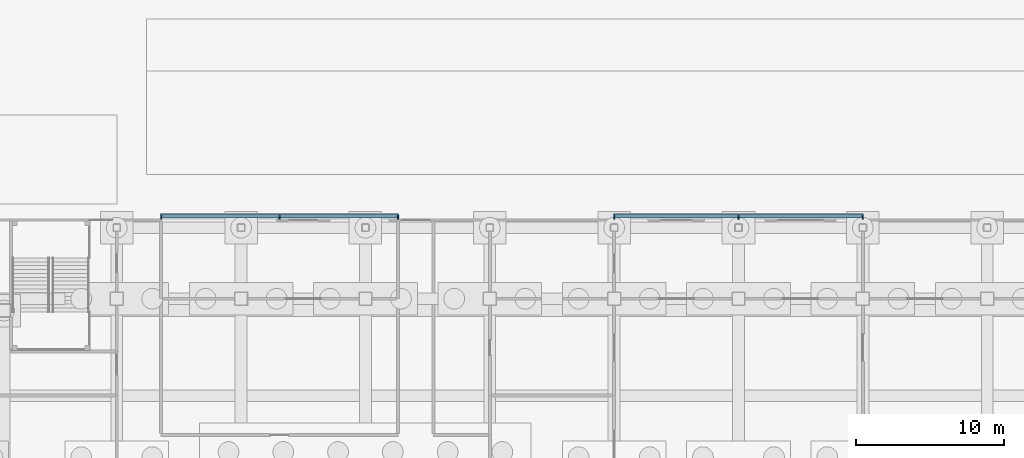
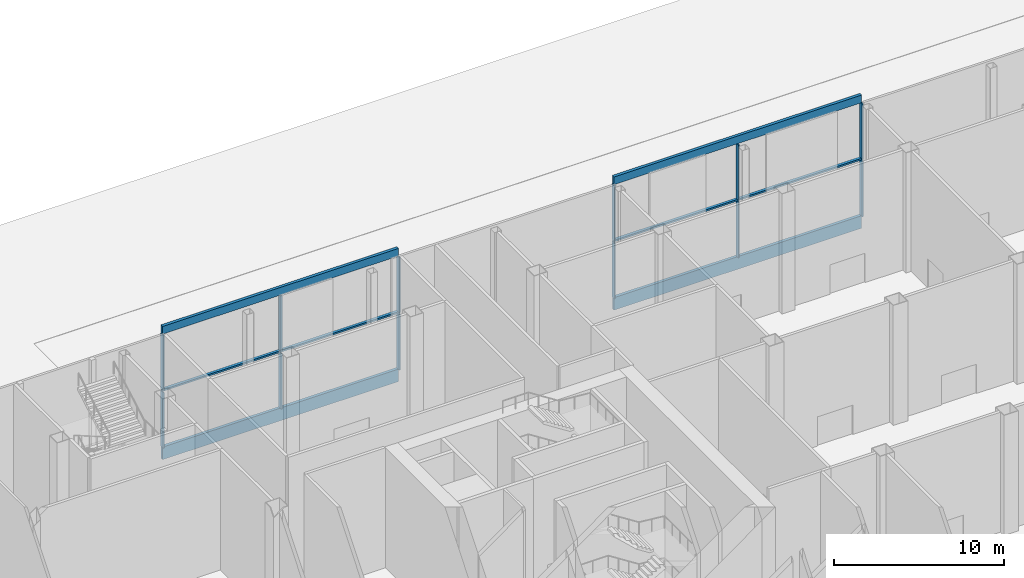
# One storey, part 21 of 113: 18 members, 2 elements without a shape of their own.
"""IFC4 building model written with IfcOpenShell, lengths in metres."""

from ifc_helpers import new_model, si_unit, direction, frame, origin, origin_2d, place, context, subcontext, project, spatial, rectangle, extrude, material, layer, layer_set, material_profile, profile_set, type_object, element, aggregate, save


model = new_model("IFC4")

# Units and contexts
model_context = context("Model", 3, precision=1e-05, world=origin(), true_north=direction((0.0, 1.0)))
body_context = subcontext(model_context, "Body", "Model", "MODEL_VIEW")
ifc_project = project(units=[si_unit("LENGTHUNIT", "METRE"), si_unit("AREAUNIT", "SQUARE_METRE"), si_unit("VOLUMEUNIT", "CUBIC_METRE"), si_unit("PLANEANGLEUNIT", "RADIAN"), si_unit("MASSUNIT", "GRAM", prefix="KILO")], contexts=[model_context])

# Site, building, storey
site_placement = place(None, origin())
site = spatial("IfcSite", under=ifc_project, at=site_placement, CompositionType="ELEMENT")
building_placement = place(site_placement, origin())
building = spatial("IfcBuilding", under=site, at=building_placement, Name="Hakoniwa Tower and Hamabe Station Hall", CompositionType="ELEMENT")
storey_placement = place(building_placement, origin())
storey = spatial("IfcBuildingStorey", under=building, at=storey_placement, Name="L01", CompositionType="ELEMENT", Elevation=0.0)

# Curtain wall, member
ifc_material_1 = material(Name="Dark low-e laminated glass", Category="glass")
ifc_layer = layer(ifc_material_1, 0.199951171875)
ifc_layer_set = layer_set([ifc_layer], Name="CW-3 PODIUM LOBBY")
curtain_wall_type = type_object("IfcCurtainWallType", Name="CW-3 PODIUM LOBBY", PredefinedType="NOTDEFINED", material=ifc_layer_set)
curtain_wall_1_placement = place(storey_placement, origin())
curtain_wall_1 = element("IfcCurtainWall", 1, at=curtain_wall_1_placement, inside=storey, type_object=curtain_wall_type, Name="Podium curtain wall L01 north 1", PredefinedType="NOTDEFINED")
ifc_material_2 = material(Name="Aluminium 6063-T5 black anodised", Category="aluminium")
ifc_material_profile_1 = material_profile(ifc_material_2, rectangle(XDim=0.199951171875, YDim=0.550048828125, at=origin_2d()), Name="CW HEAD BAND 550X200")
ifc_profile_set_1 = profile_set([ifc_material_profile_1], Name="Aluminium 6063-T5 black anodised")
member_type_1 = type_object("IfcMemberType", Name="CW HEAD BAND 550X200", PredefinedType="USERDEFINED", material=ifc_profile_set_1)
member_1_placement = place(storey_placement, frame((-23.0, 25.199951171875, 8.72509765625), z_axis=(-1.0, 0.0, 0.0), x_axis=(0.0, -1.0, 0.0)))
member_1 = element("IfcMember", 2, at=member_1_placement, type_object=member_type_1, Name="CW-3 transom", ObjectType="TRANSOM", PredefinedType="USERDEFINED", context=body_context, shape_type="SweptSolid", body=[
    extrude(rectangle(XDim=0.199951171875, YDim=0.550048828125, at=origin_2d()), origin(), (0.0, 0.0, 1.0), 16.0),
])

curtain_wall_2_placement = place(storey_placement, origin())
curtain_wall_2 = element("IfcCurtainWall", 3, at=curtain_wall_2_placement, inside=storey, type_object=curtain_wall_type, Name="Podium curtain wall L01 north 2", PredefinedType="NOTDEFINED")
member_2_placement = place(storey_placement, frame((8.39990234375, 25.199951171875, 8.72509765625), z_axis=(-1.0, 0.0, 0.0), x_axis=(0.0, -1.0, 0.0)))
member_2 = element("IfcMember", 4, at=member_2_placement, type_object=member_type_1, Name="CW-3 transom", ObjectType="TRANSOM", PredefinedType="USERDEFINED", context=body_context, shape_type="SweptSolid", body=[
    extrude(rectangle(XDim=0.199951171875, YDim=0.550048828125, at=origin_2d()), origin(), (0.0, 0.0, 1.0), 16.7998046875),
])

# Member
ifc_material_3 = material(Name="Aluminium 6063-T5 black anodised", Category="aluminium")
ifc_material_profile_2 = material_profile(ifc_material_3, rectangle(XDim=0.199951171875, YDim=0.1201171875, at=origin_2d()), Name="CW MID TRANSOM 120X200")
ifc_profile_set_2 = profile_set([ifc_material_profile_2], Name="Aluminium 6063-T5 black anodised")
member_type_2 = type_object("IfcMemberType", Name="CW MID TRANSOM 120X200", PredefinedType="USERDEFINED", material=ifc_profile_set_2)
member_3_placement = place(storey_placement, frame((-23.0, 25.199951171875, 4.39990234375), z_axis=(-1.0, 0.0, 0.0), x_axis=(0.0, -1.0, 0.0)))
member_3 = element("IfcMember", 5, at=member_3_placement, type_object=member_type_2, Name="CW-3 transom", ObjectType="TRANSOM", PredefinedType="USERDEFINED", context=body_context, shape_type="SweptSolid", body=[
    extrude(rectangle(XDim=0.199951171875, YDim=0.1201171875, at=origin_2d()), origin(), (0.0, 0.0, 1.0), 16.0),
])

member_4_placement = place(storey_placement, frame((8.39990234375, 25.199951171875, 4.39990234375), z_axis=(-1.0, 0.0, 0.0), x_axis=(0.0, -1.0, 0.0)))
member_4 = element("IfcMember", 6, at=member_4_placement, type_object=member_type_2, Name="CW-3 transom", ObjectType="TRANSOM", PredefinedType="USERDEFINED", context=body_context, shape_type="SweptSolid", body=[
    extrude(rectangle(XDim=0.199951171875, YDim=0.1201171875, at=origin_2d()), origin(), (0.0, 0.0, 1.0), 16.7998046875),
])

ifc_material_4 = material(Name="Aluminium 6063-T5 black anodised", Category="aluminium")
ifc_material_profile_3 = material_profile(ifc_material_4, rectangle(XDim=0.199951171875, YDim=0.89990234375, at=origin_2d()), Name="CW SLAB-EDGE BAND 900X200")
ifc_profile_set_3 = profile_set([ifc_material_profile_3], Name="Aluminium 6063-T5 black anodised")
member_type_3 = type_object("IfcMemberType", Name="CW SLAB-EDGE BAND 900X200", PredefinedType="USERDEFINED", material=ifc_profile_set_3)
member_5_placement = place(storey_placement, frame((-23.0, 25.199951171875, -0.10009765625), z_axis=(-1.0, 0.0, 0.0), x_axis=(0.0, -1.0, 0.0)))
member_5 = element("IfcMember", 7, at=member_5_placement, type_object=member_type_3, Name="CW-3 transom", ObjectType="TRANSOM", PredefinedType="USERDEFINED", context=body_context, shape_type="SweptSolid", body=[
    extrude(rectangle(XDim=0.199951171875, YDim=0.89990234375, at=origin_2d()), origin(), (0.0, 0.0, 1.0), 16.0),
])

member_6_placement = place(storey_placement, frame((8.39990234375, 25.199951171875, -0.10009765625), z_axis=(-1.0, 0.0, 0.0), x_axis=(0.0, -1.0, 0.0)))
member_6 = element("IfcMember", 8, at=member_6_placement, type_object=member_type_3, Name="CW-3 transom", ObjectType="TRANSOM", PredefinedType="USERDEFINED", context=body_context, shape_type="SweptSolid", body=[
    extrude(rectangle(XDim=0.199951171875, YDim=0.89990234375, at=origin_2d()), origin(), (0.0, 0.0, 1.0), 16.7998046875),
])

ifc_material_5 = material(Name="Aluminium 6063-T5 black anodised", Category="aluminium")
ifc_material_profile_4 = material_profile(ifc_material_5, rectangle(XDim=0.080078125, YDim=0.300048828125, at=origin_2d()), Name="CW-3 MULLION 80X300")
ifc_profile_set_4 = profile_set([ifc_material_profile_4], Name="Aluminium 6063-T5 black anodised")
member_type_4 = type_object("IfcMemberType", Name="CW-3 MULLION 80X300", PredefinedType="MULLION", material=ifc_profile_set_4)
member_7_placement = place(storey_placement, frame((-23.0, 25.1220703125, 0.35009765625), z_axis=(0.0, 0.0, 1.0), x_axis=(-1.0, 0.0, 0.0)))
member_7 = element("IfcMember", 9, at=member_7_placement, type_object=member_type_4, Name="CW-3 mullion", PredefinedType="MULLION", context=body_context, shape_type="SweptSolid", body=[
    extrude(rectangle(XDim=0.080078125, YDim=0.300048828125, at=origin_2d()), origin(), (0.0, 0.0, 1.0), 3.989990234375),
])

member_8_placement = place(storey_placement, frame((-23.0, 25.1220703125, 4.4599609375), z_axis=(0.0, 0.0, 1.0), x_axis=(-1.0, 0.0, 0.0)))
member_8 = element("IfcMember", 10, at=member_8_placement, type_object=member_type_4, Name="CW-3 mullion", PredefinedType="MULLION", context=body_context, shape_type="SweptSolid", body=[
    extrude(rectangle(XDim=0.080078125, YDim=0.300048828125, at=origin_2d()), origin(), (0.0, 0.0, 1.0), 3.989990234375),
])

member_9_placement = place(storey_placement, frame((-31.0, 25.1220703125, 0.35009765625), z_axis=(0.0, 0.0, 1.0), x_axis=(-1.0, 0.0, 0.0)))
member_9 = element("IfcMember", 11, at=member_9_placement, type_object=member_type_4, Name="CW-3 mullion", PredefinedType="MULLION", context=body_context, shape_type="SweptSolid", body=[
    extrude(rectangle(XDim=0.080078125, YDim=0.300048828125, at=origin_2d()), origin(), (0.0, 0.0, 1.0), 3.989990234375),
])

member_10_placement = place(storey_placement, frame((-31.0, 25.1220703125, 4.4599609375), z_axis=(0.0, 0.0, 1.0), x_axis=(-1.0, 0.0, 0.0)))
member_10 = element("IfcMember", 12, at=member_10_placement, type_object=member_type_4, Name="CW-3 mullion", PredefinedType="MULLION", context=body_context, shape_type="SweptSolid", body=[
    extrude(rectangle(XDim=0.080078125, YDim=0.300048828125, at=origin_2d()), origin(), (0.0, 0.0, 1.0), 3.989990234375),
])

member_11_placement = place(storey_placement, frame((-39.0, 25.1220703125, 0.35009765625), z_axis=(0.0, 0.0, 1.0), x_axis=(-1.0, 0.0, 0.0)))
member_11 = element("IfcMember", 13, at=member_11_placement, type_object=member_type_4, Name="CW-3 mullion", PredefinedType="MULLION", context=body_context, shape_type="SweptSolid", body=[
    extrude(rectangle(XDim=0.080078125, YDim=0.300048828125, at=origin_2d()), origin(), (0.0, 0.0, 1.0), 3.989990234375),
])

member_12_placement = place(storey_placement, frame((-39.0, 25.1220703125, 4.4599609375), z_axis=(0.0, 0.0, 1.0), x_axis=(-1.0, 0.0, 0.0)))
member_12 = element("IfcMember", 14, at=member_12_placement, type_object=member_type_4, Name="CW-3 mullion", PredefinedType="MULLION", context=body_context, shape_type="SweptSolid", body=[
    extrude(rectangle(XDim=0.080078125, YDim=0.300048828125, at=origin_2d()), origin(), (0.0, 0.0, 1.0), 3.989990234375),
])

aggregate(curtain_wall_1, [member_7, member_8, member_9, member_10, member_11, member_12, member_5, member_3, member_1])

member_13_placement = place(storey_placement, frame((8.39990234375, 25.1220703125, 0.35009765625), z_axis=(0.0, 0.0, 1.0), x_axis=(-1.0, 0.0, 0.0)))
member_13 = element("IfcMember", 15, at=member_13_placement, type_object=member_type_4, Name="CW-3 mullion", PredefinedType="MULLION", context=body_context, shape_type="SweptSolid", body=[
    extrude(rectangle(XDim=0.080078125, YDim=0.300048828125, at=origin_2d()), origin(), (0.0, 0.0, 1.0), 3.989990234375),
])

member_14_placement = place(storey_placement, frame((8.39990234375, 25.1220703125, 4.4599609375), z_axis=(0.0, 0.0, 1.0), x_axis=(-1.0, 0.0, 0.0)))
member_14 = element("IfcMember", 16, at=member_14_placement, type_object=member_type_4, Name="CW-3 mullion", PredefinedType="MULLION", context=body_context, shape_type="SweptSolid", body=[
    extrude(rectangle(XDim=0.080078125, YDim=0.300048828125, at=origin_2d()), origin(), (0.0, 0.0, 1.0), 3.989990234375),
])

member_15_placement = place(storey_placement, frame((0.0, 25.1220703125, 0.35009765625), z_axis=(0.0, 0.0, 1.0), x_axis=(-1.0, 0.0, 0.0)))
member_15 = element("IfcMember", 17, at=member_15_placement, type_object=member_type_4, Name="CW-3 mullion", PredefinedType="MULLION", context=body_context, shape_type="SweptSolid", body=[
    extrude(rectangle(XDim=0.080078125, YDim=0.300048828125, at=origin_2d()), origin(), (0.0, 0.0, 1.0), 3.989990234375),
])

member_16_placement = place(storey_placement, frame((0.0, 25.1220703125, 4.4599609375), z_axis=(0.0, 0.0, 1.0), x_axis=(-1.0, 0.0, 0.0)))
member_16 = element("IfcMember", 18, at=member_16_placement, type_object=member_type_4, Name="CW-3 mullion", PredefinedType="MULLION", context=body_context, shape_type="SweptSolid", body=[
    extrude(rectangle(XDim=0.080078125, YDim=0.300048828125, at=origin_2d()), origin(), (0.0, 0.0, 1.0), 3.989990234375),
])

member_17_placement = place(storey_placement, frame((-8.39990234375, 25.1220703125, 0.35009765625), z_axis=(0.0, 0.0, 1.0), x_axis=(-1.0, 0.0, 0.0)))
member_17 = element("IfcMember", 19, at=member_17_placement, type_object=member_type_4, Name="CW-3 mullion", PredefinedType="MULLION", context=body_context, shape_type="SweptSolid", body=[
    extrude(rectangle(XDim=0.080078125, YDim=0.300048828125, at=origin_2d()), origin(), (0.0, 0.0, 1.0), 3.989990234375),
])

member_18_placement = place(storey_placement, frame((-8.39990234375, 25.1220703125, 4.4599609375), z_axis=(0.0, 0.0, 1.0), x_axis=(-1.0, 0.0, 0.0)))
member_18 = element("IfcMember", 20, at=member_18_placement, type_object=member_type_4, Name="CW-3 mullion", PredefinedType="MULLION", context=body_context, shape_type="SweptSolid", body=[
    extrude(rectangle(XDim=0.080078125, YDim=0.300048828125, at=origin_2d()), origin(), (0.0, 0.0, 1.0), 3.989990234375),
])

aggregate(curtain_wall_2, [member_13, member_14, member_15, member_16, member_17, member_18, member_6, member_4, member_2])

save(model, "model.ifc")
